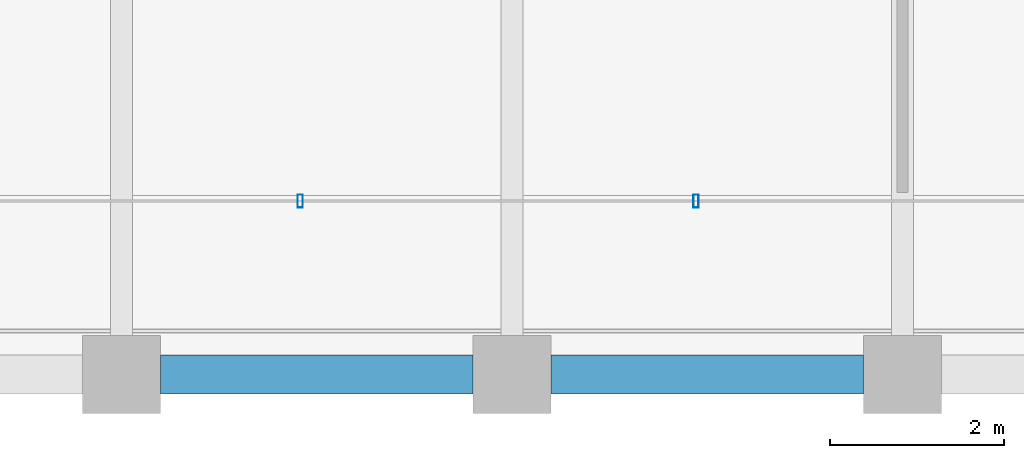
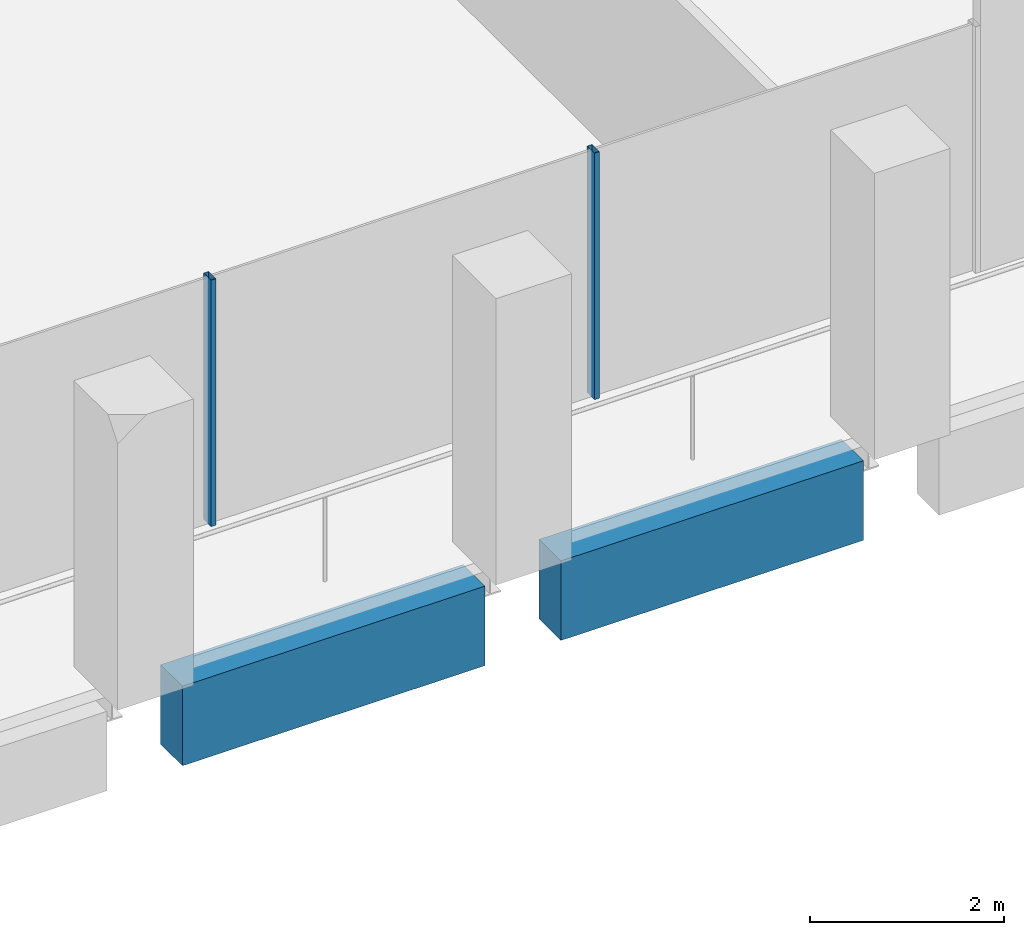
# One storey, part 3 of 40: 2 beams, 2 members, 1 element without a shape of its own.
"""IFC4 building model written with IfcOpenShell, lengths in metres."""

from ifc_helpers import new_model, si_unit, direction, frame, origin, origin_2d, place, context, subcontext, project, spatial, rectangle, hollow_rectangle, extrude, material, material_profile, profile_set, type_object, element, aggregate, save


model = new_model("IFC4")

# Units and contexts
model_context = context("Model", 3, precision=1e-05, world=origin(), true_north=direction((0.0, 1.0)))
body_context = subcontext(model_context, "Body", "Model", "MODEL_VIEW")
ifc_project = project(units=[si_unit("LENGTHUNIT", "METRE"), si_unit("AREAUNIT", "SQUARE_METRE"), si_unit("VOLUMEUNIT", "CUBIC_METRE"), si_unit("PLANEANGLEUNIT", "RADIAN"), si_unit("MASSUNIT", "GRAM", prefix="KILO")], contexts=[model_context])

# Site, building, storey
site_placement = place(None, origin())
site = spatial("IfcSite", under=ifc_project, at=site_placement, CompositionType="ELEMENT")
building_placement = place(site_placement, origin())
building = spatial("IfcBuilding", under=site, at=building_placement, Name="Altepetl Exchange Towers", CompositionType="ELEMENT")
storey_placement = place(building_placement, frame((0.0, 0.0, 169.0)))
storey = spatial("IfcBuildingStorey", under=building, at=storey_placement, Name="L42", CompositionType="ELEMENT", Elevation=169.0)

# Curtain wall, members
ifc_material_1 = material(Name="Aluminium 6063-T6 glazing", Category="aluminium")
curtain_wall_type = type_object("IfcCurtainWallType", Name="Loggia glazing system", PredefinedType="NOTDEFINED", material=ifc_material_1)
curtain_wall_placement = place(storey_placement, origin())
curtain_wall = element("IfcCurtainWall", 1, at=curtain_wall_placement, inside=storey, type_object=curtain_wall_type, Name="CW1 run", PredefinedType="NOTDEFINED")
ifc_material_2 = material(Name="Aluminium 6063-T6", Category="aluminium")
ifc_material_profile_1 = material_profile(ifc_material_2, hollow_rectangle(XDim=0.06005859375, YDim=0.14990234375, WallThickness=0.0029296875, at=origin_2d()), Name="Mullion 60x150 aluminium")
ifc_profile_set_1 = profile_set([ifc_material_profile_1], Name="Aluminium 6063-T6")
member_type = type_object("IfcMemberType", Name="Mullion 60x150 aluminium", PredefinedType="MULLION", material=ifc_profile_set_1)
member_1_placement = place(storey_placement, frame((38.060791015625, 29.0, 0.0)))
member_1 = element("IfcMember", 2, at=member_1_placement, type_object=member_type, Name="MU1 mullion", PredefinedType="MULLION", context=body_context, shape_type="SweptSolid", body=[
    extrude(hollow_rectangle(XDim=0.06005859375, YDim=0.14990234375, WallThickness=0.0029296875, at=origin_2d()), origin(), (0.0, 0.0, 1.0), 3.10009765625),
])
member_2_placement = place(storey_placement, frame((42.621337890625, 29.0, 0.0)))
member_2 = element("IfcMember", 3, at=member_2_placement, type_object=member_type, Name="MU1 mullion", PredefinedType="MULLION", context=body_context, shape_type="SweptSolid", body=[
    extrude(hollow_rectangle(XDim=0.06005859375, YDim=0.14990234375, WallThickness=0.0029296875, at=origin_2d()), origin(), (0.0, 0.0, 1.0), 3.10009765625),
])
aggregate(curtain_wall, [member_1, member_2])

# Beams
ifc_material_3 = material(Name="Concrete C50/60 precast with cantera blanca facing", Category="concrete")
ifc_material_profile_2 = material_profile(ifc_material_3, rectangle(XDim=0.449951171875, YDim=1.0, at=origin_2d()), Name="450 x 1000")
ifc_profile_set_2 = profile_set([ifc_material_profile_2], Name="Concrete C50/60 precast with cantera blanca facing")
beam_type = type_object("IfcBeamType", Name="Spandrel beam 450x1000 cantera blanca", PredefinedType="SPANDREL", material=ifc_profile_set_2)
for number, where, z_axis, x_axis, name in (
    (4, (36.449951171875, 27.0, -0.64990234375), (1.0, 0.0, 0.0), (0.0, 1.0, 0.0), "sp:A:L42:001"),
    (5, (40.949951171875, 27.0, -0.64990234375), (1.0, 0.0, 0.0), (0.0, 1.0, 0.0), "sp:A:L42:002"),
):
    element("IfcBeam", number, at=place(storey_placement, frame(where, z_axis=z_axis, x_axis=x_axis)), inside=storey, type_object=beam_type, Name=name, PredefinedType="SPANDREL", context=body_context, shape_type="SweptSolid", body=[
        extrude(rectangle(XDim=0.449951171875, YDim=1.0, at=origin_2d()), origin(), (0.0, 0.0, 1.0), 3.60009765625),
    ])

save(model, "model.ifc")
